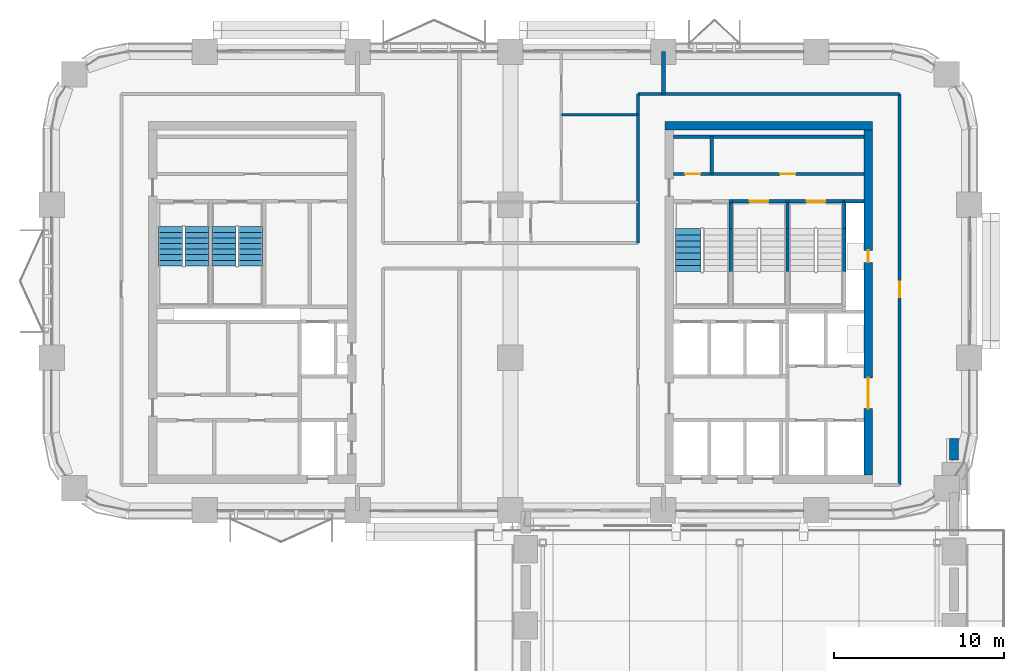
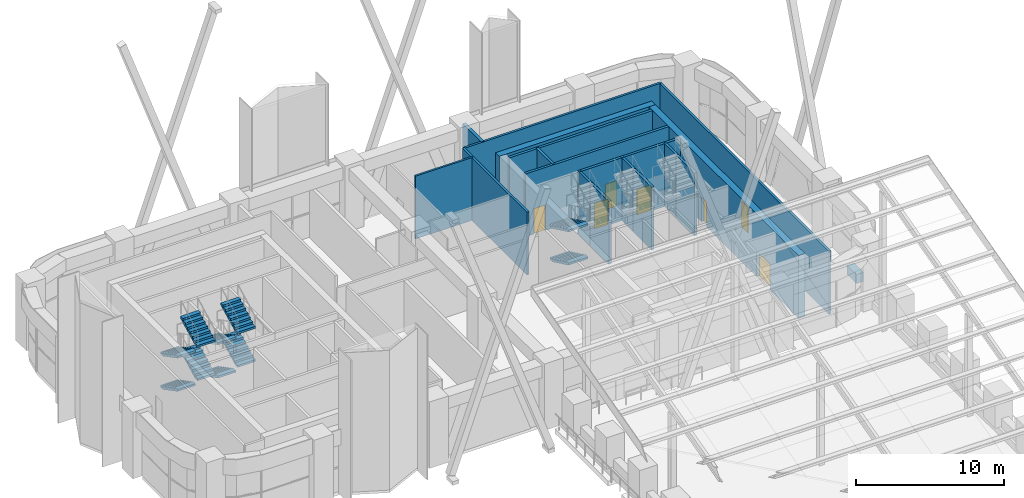
# One storey, part 16 of 22: 22 walls, 10 stair flights, 7 doors, 7 openings, 3 elements without a shape of their own.
"""IFC4 building model written with IfcOpenShell, lengths in metres."""

from ifc_helpers import new_model, si_unit, direction, frame, frame_2d, origin, place, context, subcontext, project, spatial, polyline, rectangle, outline, extrude, material, layer, layer_set, type_object, element, fill, aggregate, save


model = new_model("IFC4")

# Units and contexts
model_context = context("Model", 3, precision=1e-05, world=origin(), true_north=direction((0.0, 1.0)))
body_context = subcontext(model_context, "Body", "Model", "MODEL_VIEW")
ifc_project = project(units=[si_unit("LENGTHUNIT", "METRE"), si_unit("AREAUNIT", "SQUARE_METRE"), si_unit("VOLUMEUNIT", "CUBIC_METRE"), si_unit("PLANEANGLEUNIT", "RADIAN"), si_unit("MASSUNIT", "GRAM", prefix="KILO")], contexts=[model_context])

# Site, building, storey
site_placement = place(None, origin())
site = spatial("IfcSite", under=ifc_project, at=site_placement, CompositionType="ELEMENT")
building_placement = place(site_placement, origin())
building = spatial("IfcBuilding", under=site, at=building_placement, Name="Tessera Arch", CompositionType="ELEMENT")
storey_placement = place(building_placement, frame((0.0, 0.0, 129.39990234375)))
storey = spatial("IfcBuildingStorey", under=building, at=storey_placement, Name="L30", CompositionType="ELEMENT", Elevation=129.39990234375)

# Wall
ifc_material_1 = material(Name="Gypsum board on steel stud", Category="steel")
ifc_layer_1 = layer(ifc_material_1, 0.125)
ifc_layer_set_1 = layer_set([ifc_layer_1], Name="Core partition 125 EI 60")
wall_type_1 = type_object("IfcWallType", Name="Core partition 125 EI 60", PredefinedType="PARTITIONING", material=ifc_layer_set_1)
wall_1_placement = place(storey_placement, frame((38.840087890625, 46.800048828125, 0.0), z_axis=(0.0, 0.0, 1.0), x_axis=(0.0, 1.0, 0.0)))
element("IfcWall", 1, at=wall_1_placement, inside=storey, type_object=wall_type_1, Name="L30 C1 partition wall 3", PredefinedType="PARTITIONING", context=body_context, shape_type="SweptSolid", body=[
    extrude(rectangle(XDim=2.199951171875, YDim=0.199951171875, at=frame_2d((1.10009765625, 0.0))), origin(), (0.0, 0.0, 1.0), 5.2001953125),
])

# Wall, openings, doors
wall_2_placement = place(storey_placement, frame((36.60009765625, 46.800048828125, 0.0), z_axis=(0.0, 0.0, 1.0), x_axis=(1.0, 0.0, 0.0)))
wall_2 = element("IfcWall", 2, at=wall_2_placement, inside=storey, type_object=wall_type_1, Name="L30 C1 partition wall 38", PredefinedType="PARTITIONING", context=body_context, shape_type="SweptSolid", body=[
    extrude(rectangle(XDim=11.199951171875, YDim=0.199951171875, at=frame_2d((5.60009765625, 0.0))), origin(), (0.0, 0.0, 1.0), 5.2001953125),
])
opening_1_placement = place(wall_2_placement, frame((0.669921875, 0.0, 0.0)))
opening_1 = element("IfcOpeningElement", 3, at=opening_1_placement, cuts=wall_2, Name="Opening L30-C18", PredefinedType="OPENING", context=body_context, shape_type="SweptSolid", body=[
    extrude(rectangle(XDim=0.89990234375, YDim=2.10009765625, at=frame_2d((0.449951171875, 1.050048828125))), frame((0.0, 0.10986328125, 0.0), z_axis=(0.0, -1.0, 0.0), x_axis=(1.0, 0.0, 0.0)), (0.0, 0.0, 1.0), 0.219970703125),
])
opening_2_placement = place(wall_2_placement, frame((6.27001953125, 0.0, 0.0)))
opening_2 = element("IfcOpeningElement", 4, at=opening_2_placement, cuts=wall_2, Name="Opening L30-C19", PredefinedType="OPENING", context=body_context, shape_type="SweptSolid", body=[
    extrude(rectangle(XDim=0.89990234375, YDim=2.10009765625, at=frame_2d((0.449951171875, 1.050048828125))), frame((0.0, 0.10986328125, 0.0), z_axis=(0.0, -1.0, 0.0), x_axis=(1.0, 0.0, 0.0)), (0.0, 0.0, 1.0), 0.219970703125),
])
ifc_material_2 = material(Name="Steel door leaf", Category="steel")
door_type_1 = type_object("IfcDoorType", Name="Store door FD30S 900 x 2100", OperationType="SINGLE_SWING_LEFT", PredefinedType="DOOR", material=ifc_material_2)
door_1_placement = place(opening_1_placement, origin())
door_1 = element("IfcDoor", 5, at=door_1_placement, inside=storey, type_object=door_type_1, Name="L30 C1 door 18 C18 type D09", OperationType="SINGLE_SWING_LEFT", OverallHeight=2.10009765625, OverallWidth=0.89990234375, PredefinedType="DOOR", context=body_context, shape_type="SweptSolid", body=[
    extrude(rectangle(XDim=0.89990234375, YDim=2.10009765625, at=frame_2d((0.449951171875, 1.050048828125))), frame((0.0, 0.02490234375, 0.0), z_axis=(0.0, -1.0, 0.0), x_axis=(1.0, 0.0, 0.0)), (0.0, 0.0, 1.0), 0.050048828125),
])
fill(opening_1, door_1)
door_2_placement = place(opening_2_placement, origin())
door_2 = element("IfcDoor", 6, at=door_2_placement, inside=storey, type_object=door_type_1, Name="L30 C1 door 19 C19 type D09", OperationType="SINGLE_SWING_RIGHT", OverallHeight=2.10009765625, OverallWidth=0.89990234375, PredefinedType="DOOR", context=body_context, shape_type="SweptSolid", body=[
    extrude(rectangle(XDim=0.89990234375, YDim=2.10009765625, at=frame_2d((0.449951171875, 1.050048828125))), frame((0.0, 0.02490234375, 0.0), z_axis=(0.0, -1.0, 0.0), x_axis=(1.0, 0.0, 0.0)), (0.0, 0.0, 1.0), 0.050048828125),
])
fill(opening_2, door_2)

# Walls
wall_3_placement = place(storey_placement, frame((36.60009765625, 49.0, 0.0), z_axis=(0.0, 0.0, 1.0), x_axis=(1.0, 0.0, 0.0)))
element("IfcWall", 7, at=wall_3_placement, inside=storey, type_object=wall_type_1, Name="L30 C1 partition wall 39", PredefinedType="PARTITIONING", context=body_context, shape_type="SweptSolid", body=[
    extrude(rectangle(XDim=11.199951171875, YDim=0.199951171875, at=frame_2d((5.60009765625, 0.0))), origin(), (0.0, 0.0, 1.0), 5.2001953125),
])
ifc_material_3 = material(Name="Concrete C60/75", Category="concrete")
ifc_layer_2 = layer(ifc_material_3, 0.5)
ifc_layer_set_2 = layer_set([ifc_layer_2], Name="Core shell wall 500 C60-75")
wall_type_2 = type_object("IfcWallType", Name="Core shell wall 500 C60-75", PredefinedType="SHEAR", material=ifc_layer_set_2)
wall_4_placement = place(storey_placement, frame((36.10009765625, 49.64990234375, 0.0), z_axis=(0.0, 0.0, 1.0), x_axis=(1.0, 0.0, 0.0)))
element("IfcWall", 8, at=wall_4_placement, inside=storey, type_object=wall_type_2, Name="L30 C1 core wall N", PredefinedType="SHEAR", context=body_context, shape_type="SweptSolid", body=[
    extrude(rectangle(XDim=12.199951171875, YDim=0.5, at=frame_2d((6.10009765625, 0.0))), origin(), (0.0, 0.0, 1.0), 5.2001953125),
])

# Wall, openings, doors
wall_5_placement = place(storey_placement, frame((48.050048828125, 29.10009765625, 0.0), z_axis=(0.0, 0.0, 1.0), x_axis=(0.0, 1.0, 0.0)))
wall_5 = element("IfcWall", 9, at=wall_5_placement, inside=storey, type_object=wall_type_2, Name="L30 C1 core wall E", PredefinedType="SHEAR", context=body_context, shape_type="SweptSolid", body=[
    extrude(rectangle(XDim=20.2998046875, YDim=0.5, at=frame_2d((10.14990234375, 0.0))), origin(), (0.0, 0.0, 1.0), 5.2001953125),
])
opening_3_placement = place(wall_5_placement, frame((12.5, 0.0, 0.0)))
opening_3 = element("IfcOpeningElement", 10, at=opening_3_placement, cuts=wall_5, Name="Opening L30-C14", PredefinedType="OPENING", context=body_context, shape_type="SweptSolid", body=[
    extrude(rectangle(XDim=0.699951171875, YDim=2.10009765625, at=frame_2d((0.35009765625, 1.050048828125))), frame((0.0, 0.260009765625, 0.0), z_axis=(0.0, -1.0, 0.0), x_axis=(1.0, 0.0, 0.0)), (0.0, 0.0, 1.0), 0.52001953125),
])
opening_4_placement = place(wall_5_placement, frame((3.89990234375, 0.0, 0.0)))
opening_4 = element("IfcOpeningElement", 11, at=opening_4_placement, cuts=wall_5, Name="Opening L30-C15", PredefinedType="OPENING", context=body_context, shape_type="SweptSolid", body=[
    extrude(rectangle(XDim=1.800048828125, YDim=2.10009765625, at=frame_2d((0.89990234375, 1.050048828125))), frame((0.0, 0.260009765625, 0.0), z_axis=(0.0, -1.0, 0.0), x_axis=(1.0, 0.0, 0.0)), (0.0, 0.0, 1.0), 0.52001953125),
])
ifc_material_4 = material(Name="Glazed steel door leaf", Category="steel")
door_type_2 = type_object("IfcDoorType", Name="Lobby double door FD60 1800 x 2100", OperationType="DOUBLE_DOOR_SINGLE_SWING", PredefinedType="DOOR", material=ifc_material_4)
door_3_placement = place(opening_4_placement, origin())
door_3 = element("IfcDoor", 12, at=door_3_placement, inside=storey, type_object=door_type_2, Name="L30 C1 door 15 C15 type D19", OperationType="DOUBLE_DOOR_SINGLE_SWING", OverallHeight=2.10009765625, OverallWidth=1.800048828125, PredefinedType="DOOR", context=body_context, shape_type="SweptSolid", body=[
    extrude(rectangle(XDim=1.800048828125, YDim=2.10009765625, at=frame_2d((0.89990234375, 1.050048828125))), frame((0.0, 0.02490234375, 0.0), z_axis=(0.0, -1.0, 0.0), x_axis=(1.0, 0.0, 0.0)), (0.0, 0.0, 1.0), 0.050048828125),
])
fill(opening_4, door_3)
ifc_material_5 = material(Name="Steel door leaf", Category="steel")
door_type_3 = type_object("IfcDoorType", Name="Service shaft door FD60 700 x 2100", OperationType="SINGLE_SWING_LEFT", PredefinedType="DOOR", material=ifc_material_5)
door_4_placement = place(opening_3_placement, origin())
door_4 = element("IfcDoor", 13, at=door_4_placement, inside=storey, type_object=door_type_3, Name="L30 C1 door 14 C14 type D07", OperationType="SINGLE_SWING_RIGHT", OverallHeight=2.10009765625, OverallWidth=0.699951171875, PredefinedType="DOOR", context=body_context, shape_type="SweptSolid", body=[
    extrude(rectangle(XDim=0.699951171875, YDim=2.10009765625, at=frame_2d((0.35009765625, 1.050048828125))), frame((0.0, 0.02490234375, 0.0), z_axis=(0.0, -1.0, 0.0), x_axis=(1.0, 0.0, 0.0)), (0.0, 0.0, 1.0), 0.050048828125),
])
fill(opening_3, door_4)

# Walls
ifc_material_6 = material(Name="Gypsum board on deep steel stud with mineral wool", Category="steel")
ifc_layer_3 = layer(ifc_material_6, 0.175048828125)
ifc_layer_set_3 = layer_set([ifc_layer_3], Name="Corridor wall 175 EI 60")
wall_type_3 = type_object("IfcWallType", Name="Corridor wall 175 EI 60", PredefinedType="PARTITIONING", material=ifc_layer_set_3)
wall_6_placement = place(storey_placement, frame((34.5, 51.5, 0.0), z_axis=(0.0, 0.0, 1.0), x_axis=(1.0, 0.0, 0.0)))
element("IfcWall", 14, at=wall_6_placement, inside=storey, type_object=wall_type_3, Name="L30 partition 8", PredefinedType="PARTITIONING", context=body_context, shape_type="SweptSolid", body=[
    extrude(rectangle(XDim=15.39990234375, YDim=0.175048828125, at=frame_2d((7.699951171875, 0.0))), origin(), (0.0, 0.0, 1.0), 5.2001953125),
])
wall_7_placement = place(storey_placement, frame((34.5, 42.75, 0.0), z_axis=(0.0, 0.0, 1.0), x_axis=(0.0, 1.0, 0.0)))
element("IfcWall", 15, at=wall_7_placement, inside=storey, type_object=wall_type_3, Name="L30 partition 13", PredefinedType="PARTITIONING", context=body_context, shape_type="SweptSolid", body=[
    extrude(rectangle(XDim=8.75, YDim=0.175048828125, at=frame_2d((4.375, 0.0))), origin(), (0.0, 0.0, 1.0), 5.2001953125),
])

# Wall, opening, door
wall_8_placement = place(storey_placement, frame((49.89990234375, 28.5, 0.0), z_axis=(0.0, 0.0, 1.0), x_axis=(0.0, 1.0, 0.0)))
wall_8 = element("IfcWall", 16, at=wall_8_placement, inside=storey, type_object=wall_type_3, Name="L30 partition 14", PredefinedType="PARTITIONING", context=body_context, shape_type="SweptSolid", body=[
    extrude(rectangle(XDim=23.0, YDim=0.175048828125, at=frame_2d((11.5, 0.0))), origin(), (0.0, 0.0, 1.0), 5.2001953125),
])
opening_5_placement = place(wall_8_placement, frame((11.050048828125, 0.0, 0.0)))
opening_5 = element("IfcOpeningElement", 17, at=opening_5_placement, cuts=wall_8, Name="Opening L30-D004", PredefinedType="OPENING", context=body_context, shape_type="SweptSolid", body=[
    extrude(rectangle(XDim=0.89990234375, YDim=2.10009765625, at=frame_2d((0.449951171875, 1.050048828125))), frame((0.0, 0.097412109375, 0.0), z_axis=(0.0, -1.0, 0.0), x_axis=(1.0, 0.0, 0.0)), (0.0, 0.0, 1.0), 0.195068359375),
])
ifc_material_7 = material(Name="Timber door leaf", Category="wood")
door_type_4 = type_object("IfcDoorType", Name="Room door 900 x 2100", OperationType="SINGLE_SWING_LEFT", PredefinedType="DOOR", material=ifc_material_7)
door_5_placement = place(opening_5_placement, origin())
door_5 = element("IfcDoor", 18, at=door_5_placement, inside=storey, type_object=door_type_4, Name="L30 door D004 type D01", OperationType="SINGLE_SWING_LEFT", OverallHeight=2.10009765625, OverallWidth=0.89990234375, PredefinedType="DOOR", context=body_context, shape_type="SweptSolid", body=[
    extrude(rectangle(XDim=0.89990234375, YDim=2.10009765625, at=frame_2d((0.449951171875, 1.050048828125))), frame((0.0, 0.02490234375, 0.0), z_axis=(0.0, -1.0, 0.0), x_axis=(1.0, 0.0, 0.0)), (0.0, 0.0, 1.0), 0.050048828125),
])
fill(opening_5, door_5)

# Walls
ifc_material_8 = material(Name="Gypsum board on steel stud", Category="steel")
ifc_layer_4 = layer(ifc_material_8, 0.14990234375)
ifc_layer_set_4 = layer_set([ifc_layer_4], Name="Partition 150")
wall_type_4 = type_object("IfcWallType", Name="Partition 150", PredefinedType="PARTITIONING", material=ifc_layer_set_4)
wall_9_placement = place(storey_placement, frame((30.0, 50.281982421875, 0.0), z_axis=(0.0, 0.0, 1.0), x_axis=(1.0, 0.0, 0.0)))
element("IfcWall", 19, at=wall_9_placement, inside=storey, type_object=wall_type_4, Name="L30 partition 17", PredefinedType="PARTITIONING", context=body_context, shape_type="SweptSolid", body=[
    extrude(rectangle(XDim=4.5, YDim=0.14990234375, at=frame_2d((2.25, 0.0))), origin(), (0.0, 0.0, 1.0), 5.2001953125),
])
ifc_material_9 = material(Name="Double gypsum board on twin steel stud with acoustic mineral wool", Category="steel")
ifc_layer_5 = layer(ifc_material_9, 0.25)
ifc_layer_set_5 = layer_set([ifc_layer_5], Name="Party wall 250 EI 60")
wall_type_5 = type_object("IfcWallType", Name="Party wall 250 EI 60", PredefinedType="PARTITIONING", material=ifc_layer_set_5)
wall_10_placement = place(storey_placement, frame((36.0, 51.5, 0.0), z_axis=(0.0, 0.0, 1.0), x_axis=(0.0, 1.0, 0.0)))
element("IfcWall", 20, at=wall_10_placement, inside=storey, type_object=wall_type_5, Name="L30 partition 24", PredefinedType="PARTITIONING", context=body_context, shape_type="SweptSolid", body=[
    extrude(rectangle(XDim=2.5, YDim=0.25, at=frame_2d((1.25, 0.0))), origin(), (0.0, 0.0, 1.0), 5.2001953125),
])
ifc_material_10 = material(Name="Precast concrete C40/50", Category="concrete")
ifc_layer_6 = layer(ifc_material_10, 0.5400390625)
ifc_layer_set_6 = layer_set([ifc_layer_6], Name="Planter bed 540 wide")
wall_type_6 = type_object("IfcWallType", Name="Planter bed 540 wide", PredefinedType="SOLIDWALL", material=ifc_layer_set_6)
wall_11_placement = place(storey_placement, frame((53.10009765625, 31.24365234375, 0.60009765625), z_axis=(0.0, 0.0, 1.0), x_axis=(0.0, -1.0, 0.0)))
element("IfcWall", 21, at=wall_11_placement, inside=storey, type_object=wall_type_6, Name="PLANTER shrub mass on terrace bed 1-1 1", PredefinedType="SOLIDWALL", context=body_context, shape_type="SweptSolid", body=[
    extrude(rectangle(XDim=1.271240234375, YDim=0.5400390625, at=frame_2d((0.6357421875, 0.0))), origin(), (0.0, 0.0, 1.0), 0.75),
])
ifc_material_11 = material(Name="Concrete C40/50", Category="concrete")
ifc_layer_7 = layer(ifc_material_11, 0.199951171875)
ifc_layer_set_7 = layer_set([ifc_layer_7], Name="Shaft wall 200 EI 120")
wall_type_7 = type_object("IfcWallType", Name="Shaft wall 200 EI 120", PredefinedType="SOLIDWALL", material=ifc_layer_set_7)
wall_12_placement = place(storey_placement, frame((46.64990234375, 45.199951171875, 0.0), z_axis=(0.0, 0.0, 1.0), x_axis=(1.0, 0.0, 0.0)))
element("IfcWall", 22, at=wall_12_placement, inside=storey, type_object=wall_type_7, Name="L30 C1 shaft wall 32", PredefinedType="SOLIDWALL", context=body_context, shape_type="SweptSolid", body=[
    extrude(rectangle(XDim=1.150146484375, YDim=0.199951171875, at=frame_2d((0.5751953125, 0.0))), origin(), (0.0, 0.0, 1.0), 5.2001953125),
])
ifc_material_12 = material(Name="Concrete C40/50", Category="concrete")
ifc_layer_8 = layer(ifc_material_12, 0.199951171875)
ifc_layer_set_8 = layer_set([ifc_layer_8], Name="Stair well wall 200 REI 180")
wall_type_8 = type_object("IfcWallType", Name="Stair well wall 200 REI 180", PredefinedType="SOLIDWALL", material=ifc_layer_set_8)
wall_13_placement = place(storey_placement, frame((39.949951171875, 41.06005859375, 0.0), z_axis=(0.0, 0.0, 1.0), x_axis=(0.0, 1.0, 0.0)))
element("IfcWall", 23, at=wall_13_placement, inside=storey, type_object=wall_type_8, Name="L30 C1 shaft wall 5", PredefinedType="SOLIDWALL", context=body_context, shape_type="SweptSolid", body=[
    extrude(rectangle(XDim=2.52001953125, YDim=0.199951171875, at=frame_2d((1.260009765625, 0.0))), origin(), (0.0, 0.0, 1.0), 5.2001953125),
])
wall_14_placement = place(storey_placement, frame((39.949951171875, 43.580078125, 0.0), z_axis=(0.0, 0.0, 1.0), x_axis=(0.0, 1.0, 0.0)))
element("IfcWall", 24, at=wall_14_placement, inside=storey, type_object=wall_type_8, Name="L30 C1 shaft wall 6", PredefinedType="SOLIDWALL", context=body_context, shape_type="SweptSolid", body=[
    extrude(rectangle(XDim=1.619873046875, YDim=0.199951171875, at=frame_2d((0.81005859375, 0.0))), origin(), (0.0, 0.0, 1.0), 5.2001953125),
])
wall_15_placement = place(storey_placement, frame((43.300048828125, 41.06005859375, 0.0), z_axis=(0.0, 0.0, 1.0), x_axis=(0.0, 1.0, 0.0)))
element("IfcWall", 25, at=wall_15_placement, inside=storey, type_object=wall_type_8, Name="L30 C1 shaft wall 13", PredefinedType="SOLIDWALL", context=body_context, shape_type="SweptSolid", body=[
    extrude(rectangle(XDim=2.52001953125, YDim=0.199951171875, at=frame_2d((1.260009765625, 0.0))), origin(), (0.0, 0.0, 1.0), 5.2001953125),
])
wall_16_placement = place(storey_placement, frame((43.300048828125, 43.580078125, 0.0), z_axis=(0.0, 0.0, 1.0), x_axis=(0.0, 1.0, 0.0)))
element("IfcWall", 26, at=wall_16_placement, inside=storey, type_object=wall_type_8, Name="L30 C1 shaft wall 14", PredefinedType="SOLIDWALL", context=body_context, shape_type="SweptSolid", body=[
    extrude(rectangle(XDim=1.619873046875, YDim=0.199951171875, at=frame_2d((0.81005859375, 0.0))), origin(), (0.0, 0.0, 1.0), 5.2001953125),
])
wall_17_placement = place(storey_placement, frame((46.64990234375, 41.06005859375, 0.0), z_axis=(0.0, 0.0, 1.0), x_axis=(0.0, 1.0, 0.0)))
element("IfcWall", 27, at=wall_17_placement, inside=storey, type_object=wall_type_8, Name="L30 C1 shaft wall 19", PredefinedType="SOLIDWALL", context=body_context, shape_type="SweptSolid", body=[
    extrude(rectangle(XDim=2.52001953125, YDim=0.199951171875, at=frame_2d((1.260009765625, 0.0))), origin(), (0.0, 0.0, 1.0), 5.2001953125),
])
wall_18_placement = place(storey_placement, frame((46.64990234375, 43.580078125, 0.0), z_axis=(0.0, 0.0, 1.0), x_axis=(0.0, 1.0, 0.0)))
element("IfcWall", 28, at=wall_18_placement, inside=storey, type_object=wall_type_8, Name="L30 C1 shaft wall 20", PredefinedType="SOLIDWALL", context=body_context, shape_type="SweptSolid", body=[
    extrude(rectangle(XDim=1.619873046875, YDim=0.199951171875, at=frame_2d((0.81005859375, 0.0))), origin(), (0.0, 0.0, 1.0), 5.2001953125),
])
wall_19_placement = place(storey_placement, frame((39.85009765625, 45.199951171875, 0.0), z_axis=(0.0, 0.0, 1.0), x_axis=(1.0, 0.0, 0.0)))
element("IfcWall", 29, at=wall_19_placement, inside=storey, type_object=wall_type_8, Name="L30 C1 shaft wall 34", PredefinedType="SOLIDWALL", context=body_context, shape_type="SweptSolid", body=[
    extrude(rectangle(XDim=0.199951171875, YDim=0.199951171875, at=frame_2d((0.10009765625, 0.0))), origin(), (0.0, 0.0, 1.0), 5.2001953125),
])

# Wall, opening, door
wall_20_placement = place(storey_placement, frame((40.050048828125, 45.199951171875, 0.0), z_axis=(0.0, 0.0, 1.0), x_axis=(1.0, 0.0, 0.0)))
wall_20 = element("IfcWall", 30, at=wall_20_placement, inside=storey, type_object=wall_type_8, Name="L30 C1 shaft wall 35", PredefinedType="SOLIDWALL", context=body_context, shape_type="SweptSolid", body=[
    extrude(rectangle(XDim=3.14990234375, YDim=0.199951171875, at=frame_2d((1.574951171875, 0.0))), origin(), (0.0, 0.0, 1.0), 5.2001953125),
])
opening_6_placement = place(wall_20_placement, frame((1.02490234375, 0.0, 0.0)))
opening_6 = element("IfcOpeningElement", 31, at=opening_6_placement, cuts=wall_20, Name="Opening L30-C12", PredefinedType="OPENING", context=body_context, shape_type="SweptSolid", body=[
    extrude(rectangle(XDim=1.10009765625, YDim=2.10009765625, at=frame_2d((0.550048828125, 1.050048828125))), frame((0.0, 0.10986328125, 0.0), z_axis=(0.0, -1.0, 0.0), x_axis=(1.0, 0.0, 0.0)), (0.0, 0.0, 1.0), 0.219970703125),
])
ifc_material_13 = material(Name="Steel door leaf", Category="steel")
door_type_5 = type_object("IfcDoorType", Name="Stair door FD60 1100 x 2100", OperationType="SINGLE_SWING_LEFT", PredefinedType="DOOR", material=ifc_material_13)
door_6_placement = place(opening_6_placement, origin())
door_6 = element("IfcDoor", 32, at=door_6_placement, inside=storey, type_object=door_type_5, Name="L30 C1 door 12 C12 type D05", OperationType="SINGLE_SWING_LEFT", OverallHeight=2.10009765625, OverallWidth=1.10009765625, PredefinedType="DOOR", context=body_context, shape_type="SweptSolid", body=[
    extrude(rectangle(XDim=1.10009765625, YDim=2.10009765625, at=frame_2d((0.550048828125, 1.050048828125))), frame((0.0, 0.02490234375, 0.0), z_axis=(0.0, -1.0, 0.0), x_axis=(1.0, 0.0, 0.0)), (0.0, 0.0, 1.0), 0.050048828125),
])
fill(opening_6, door_6)

# Wall
wall_21_placement = place(storey_placement, frame((43.199951171875, 45.199951171875, 0.0), z_axis=(0.0, 0.0, 1.0), x_axis=(1.0, 0.0, 0.0)))
element("IfcWall", 33, at=wall_21_placement, inside=storey, type_object=wall_type_8, Name="L30 C1 shaft wall 36", PredefinedType="SOLIDWALL", context=body_context, shape_type="SweptSolid", body=[
    extrude(rectangle(XDim=0.199951171875, YDim=0.199951171875, at=frame_2d((0.10009765625, 0.0))), origin(), (0.0, 0.0, 1.0), 5.2001953125),
])

# Wall, opening, door
wall_22_placement = place(storey_placement, frame((43.39990234375, 45.199951171875, 0.0), z_axis=(0.0, 0.0, 1.0), x_axis=(1.0, 0.0, 0.0)))
wall_22 = element("IfcWall", 34, at=wall_22_placement, inside=storey, type_object=wall_type_8, Name="L30 C1 shaft wall 37", PredefinedType="SOLIDWALL", context=body_context, shape_type="SweptSolid", body=[
    extrude(rectangle(XDim=3.25, YDim=0.199951171875, at=frame_2d((1.625, 0.0))), origin(), (0.0, 0.0, 1.0), 5.2001953125),
])
opening_7_placement = place(wall_22_placement, frame((1.02490234375, 0.0, 0.0)))
opening_7 = element("IfcOpeningElement", 35, at=opening_7_placement, cuts=wall_22, Name="Opening L30-C13", PredefinedType="OPENING", context=body_context, shape_type="SweptSolid", body=[
    extrude(rectangle(XDim=1.10009765625, YDim=2.10009765625, at=frame_2d((0.550048828125, 1.050048828125))), frame((0.0, 0.10986328125, 0.0), z_axis=(0.0, -1.0, 0.0), x_axis=(1.0, 0.0, 0.0)), (0.0, 0.0, 1.0), 0.219970703125),
])
door_7_placement = place(opening_7_placement, origin())
door_7 = element("IfcDoor", 36, at=door_7_placement, inside=storey, type_object=door_type_5, Name="L30 C1 door 13 C13 type D05", OperationType="SINGLE_SWING_LEFT", OverallHeight=2.10009765625, OverallWidth=1.10009765625, PredefinedType="DOOR", context=body_context, shape_type="SweptSolid", body=[
    extrude(rectangle(XDim=1.10009765625, YDim=2.10009765625, at=frame_2d((0.550048828125, 1.050048828125))), frame((0.0, 0.02490234375, 0.0), z_axis=(0.0, -1.0, 0.0), x_axis=(1.0, 0.0, 0.0)), (0.0, 0.0, 1.0), 0.050048828125),
])
fill(opening_7, door_7)

# Stair, stair flights
ifc_material_14 = material(Name="Concrete C40/50", Category="concrete")
stair_type_1 = type_object("IfcStairType", Name="Dogleg stair 1400", PredefinedType="HALF_TURN_STAIR", material=ifc_material_14)
stair_1_placement = place(storey_placement, origin())
stair_1 = element("IfcStair", 37, at=stair_1_placement, inside=storey, type_object=stair_type_1, Name="L30 S2a", PredefinedType="HALF_TURN_STAIR")
ifc_material_15 = material(Name="Concrete C40/50", Category="concrete")
stair_flight_type_1 = type_object("IfcStairFlightType", Name="Stair flight 1400", PredefinedType="STRAIGHT", material=ifc_material_15)
stair_flight_1_placement = place(storey_placement, frame((7.0, 43.699951171875, 0.0), z_axis=(0.0, 0.0, 1.0), x_axis=(0.0, -1.0, 0.0)))
stair_flight_1 = element("IfcStairFlight", 38, at=stair_flight_1_placement, type_object=stair_flight_type_1, Name="S2a flight 1", NumberOfRisers=8, NumberOfTreads=7, PredefinedType="STRAIGHT", RiserHeight=0.171875, TreadLength=0.33, context=body_context, shape_type="SweptSolid", body=[
    extrude(outline(polyline([(0.0, 0.0), (0.0, 0.171875), (0.330078125, 0.171875), (0.330078125, 0.34375), (0.659912109375, 0.34375), (0.659912109375, 0.515625), (0.989990234375, 0.515625), (0.989990234375, 0.6875), (1.320068359375, 0.6875), (1.320068359375, 0.859375), (1.64990234375, 0.859375), (1.64990234375, 1.03125), (1.97998046875, 1.03125), (1.97998046875, 1.203125), (2.31005859375, 1.203125), (2.31005859375, 1.375), (2.31005859375, 1.0341796875), (0.324462890625, 0.0), (0.0, 0.0)])), frame((0.0, 0.699951171875, 0.0), z_axis=(0.0, -1.0, 0.0), x_axis=(1.0, 0.0, 0.0)), (0.0, 0.0, 1.0), 1.39990234375),
])
stair_flight_2_placement = place(storey_placement, frame((8.550048828125, 41.389892578125, 1.375), z_axis=(0.0, 0.0, 1.0), x_axis=(0.0, 1.0, 0.0)))
stair_flight_2 = element("IfcStairFlight", 39, at=stair_flight_2_placement, type_object=stair_flight_type_1, Name="S2a flight 2", NumberOfRisers=8, NumberOfTreads=7, PredefinedType="STRAIGHT", RiserHeight=0.171875, TreadLength=0.33, context=body_context, shape_type="SweptSolid", body=[
    extrude(outline(polyline([(0.0, 0.0), (0.0, 0.171875), (0.330078125, 0.171875), (0.330078125, 0.34375), (0.659912109375, 0.34375), (0.659912109375, 0.515625), (0.989990234375, 0.515625), (0.989990234375, 0.6875), (1.320068359375, 0.6875), (1.320068359375, 0.859375), (1.64990234375, 0.859375), (1.64990234375, 1.03125), (1.97998046875, 1.03125), (1.97998046875, 1.203125), (2.31005859375, 1.203125), (2.31005859375, 1.375), (2.31005859375, 1.0341796875), (0.324462890625, 0.0), (0.0, 0.0)])), frame((0.0, 0.699951171875, 0.0), z_axis=(0.0, -1.0, 0.0), x_axis=(1.0, 0.0, 0.0)), (0.0, 0.0, 1.0), 1.39990234375),
])
stair_flight_3_placement = place(storey_placement, frame((7.0, 43.699951171875, 2.75), z_axis=(0.0, 0.0, 1.0), x_axis=(0.0, -1.0, 0.0)))
stair_flight_3 = element("IfcStairFlight", 40, at=stair_flight_3_placement, type_object=stair_flight_type_1, Name="S2a flight 3", NumberOfRisers=8, NumberOfTreads=7, PredefinedType="STRAIGHT", RiserHeight=0.171875, TreadLength=0.33, context=body_context, shape_type="SweptSolid", body=[
    extrude(outline(polyline([(0.0, 0.0), (0.0, 0.171875), (0.330078125, 0.171875), (0.330078125, 0.34375), (0.659912109375, 0.34375), (0.659912109375, 0.515625), (0.989990234375, 0.515625), (0.989990234375, 0.6875), (1.320068359375, 0.6875), (1.320068359375, 0.859375), (1.64990234375, 0.859375), (1.64990234375, 1.03125), (1.97998046875, 1.03125), (1.97998046875, 1.203125), (2.31005859375, 1.203125), (2.31005859375, 1.375), (2.31005859375, 1.0341796875), (0.324462890625, 0.0), (0.0, 0.0)])), frame((0.0, 0.699951171875, 0.0), z_axis=(0.0, -1.0, 0.0), x_axis=(1.0, 0.0, 0.0)), (0.0, 0.0, 1.0), 1.39990234375),
])
stair_flight_4_placement = place(storey_placement, frame((8.550048828125, 41.389892578125, 4.125), z_axis=(0.0, 0.0, 1.0), x_axis=(0.0, 1.0, 0.0)))
stair_flight_4 = element("IfcStairFlight", 41, at=stair_flight_4_placement, type_object=stair_flight_type_1, Name="S2a flight 4", NumberOfRisers=8, NumberOfTreads=7, PredefinedType="STRAIGHT", RiserHeight=0.171875, TreadLength=0.33, context=body_context, shape_type="SweptSolid", body=[
    extrude(outline(polyline([(0.0, 0.0), (0.0, 0.171875), (0.330078125, 0.171875), (0.330078125, 0.34375), (0.659912109375, 0.34375), (0.659912109375, 0.515625), (0.989990234375, 0.515625), (0.989990234375, 0.6875), (1.320068359375, 0.6875), (1.320068359375, 0.859375), (1.64990234375, 0.859375), (1.64990234375, 1.03125), (1.97998046875, 1.03125), (1.97998046875, 1.203125), (2.31005859375, 1.203125), (2.31005859375, 1.375), (2.31005859375, 1.0341796875), (0.324462890625, 0.0), (0.0, 0.0)])), frame((0.0, 0.699951171875, 0.0), z_axis=(0.0, -1.0, 0.0), x_axis=(1.0, 0.0, 0.0)), (0.0, 0.0, 1.0), 1.39990234375),
])
aggregate(stair_1, [stair_flight_1, stair_flight_2, stair_flight_3, stair_flight_4])

stair_2_placement = place(storey_placement, origin())
stair_2 = element("IfcStair", 42, at=stair_2_placement, inside=storey, type_object=stair_type_1, Name="L30 S2b", PredefinedType="HALF_TURN_STAIR")
stair_flight_5_placement = place(storey_placement, frame((10.14990234375, 43.699951171875, 0.0), z_axis=(0.0, 0.0, 1.0), x_axis=(0.0, -1.0, 0.0)))
stair_flight_5 = element("IfcStairFlight", 43, at=stair_flight_5_placement, type_object=stair_flight_type_1, Name="S2b flight 1", NumberOfRisers=8, NumberOfTreads=7, PredefinedType="STRAIGHT", RiserHeight=0.171875, TreadLength=0.33, context=body_context, shape_type="SweptSolid", body=[
    extrude(outline(polyline([(0.0, 0.0), (0.0, 0.171875), (0.330078125, 0.171875), (0.330078125, 0.34375), (0.659912109375, 0.34375), (0.659912109375, 0.515625), (0.989990234375, 0.515625), (0.989990234375, 0.6875), (1.320068359375, 0.6875), (1.320068359375, 0.859375), (1.64990234375, 0.859375), (1.64990234375, 1.03125), (1.97998046875, 1.03125), (1.97998046875, 1.203125), (2.31005859375, 1.203125), (2.31005859375, 1.375), (2.31005859375, 1.0341796875), (0.324462890625, 0.0), (0.0, 0.0)])), frame((0.0, 0.699951171875, 0.0), z_axis=(0.0, -1.0, 0.0), x_axis=(1.0, 0.0, 0.0)), (0.0, 0.0, 1.0), 1.39990234375),
])
stair_flight_6_placement = place(storey_placement, frame((11.699951171875, 41.389892578125, 1.375), z_axis=(0.0, 0.0, 1.0), x_axis=(0.0, 1.0, 0.0)))
stair_flight_6 = element("IfcStairFlight", 44, at=stair_flight_6_placement, type_object=stair_flight_type_1, Name="S2b flight 2", NumberOfRisers=8, NumberOfTreads=7, PredefinedType="STRAIGHT", RiserHeight=0.171875, TreadLength=0.33, context=body_context, shape_type="SweptSolid", body=[
    extrude(outline(polyline([(0.0, 0.0), (0.0, 0.171875), (0.330078125, 0.171875), (0.330078125, 0.34375), (0.659912109375, 0.34375), (0.659912109375, 0.515625), (0.989990234375, 0.515625), (0.989990234375, 0.6875), (1.320068359375, 0.6875), (1.320068359375, 0.859375), (1.64990234375, 0.859375), (1.64990234375, 1.03125), (1.97998046875, 1.03125), (1.97998046875, 1.203125), (2.31005859375, 1.203125), (2.31005859375, 1.375), (2.31005859375, 1.0341796875), (0.324462890625, 0.0), (0.0, 0.0)])), frame((0.0, 0.699951171875, 0.0), z_axis=(0.0, -1.0, 0.0), x_axis=(1.0, 0.0, 0.0)), (0.0, 0.0, 1.0), 1.39990234375),
])
stair_flight_7_placement = place(storey_placement, frame((10.14990234375, 43.699951171875, 2.75), z_axis=(0.0, 0.0, 1.0), x_axis=(0.0, -1.0, 0.0)))
stair_flight_7 = element("IfcStairFlight", 45, at=stair_flight_7_placement, type_object=stair_flight_type_1, Name="S2b flight 3", NumberOfRisers=8, NumberOfTreads=7, PredefinedType="STRAIGHT", RiserHeight=0.171875, TreadLength=0.33, context=body_context, shape_type="SweptSolid", body=[
    extrude(outline(polyline([(0.0, 0.0), (0.0, 0.171875), (0.330078125, 0.171875), (0.330078125, 0.34375), (0.659912109375, 0.34375), (0.659912109375, 0.515625), (0.989990234375, 0.515625), (0.989990234375, 0.6875), (1.320068359375, 0.6875), (1.320068359375, 0.859375), (1.64990234375, 0.859375), (1.64990234375, 1.03125), (1.97998046875, 1.03125), (1.97998046875, 1.203125), (2.31005859375, 1.203125), (2.31005859375, 1.375), (2.31005859375, 1.0341796875), (0.324462890625, 0.0), (0.0, 0.0)])), frame((0.0, 0.699951171875, 0.0), z_axis=(0.0, -1.0, 0.0), x_axis=(1.0, 0.0, 0.0)), (0.0, 0.0, 1.0), 1.39990234375),
])
stair_flight_8_placement = place(storey_placement, frame((11.699951171875, 41.389892578125, 4.125), z_axis=(0.0, 0.0, 1.0), x_axis=(0.0, 1.0, 0.0)))
stair_flight_8 = element("IfcStairFlight", 46, at=stair_flight_8_placement, type_object=stair_flight_type_1, Name="S2b flight 4", NumberOfRisers=8, NumberOfTreads=7, PredefinedType="STRAIGHT", RiserHeight=0.171875, TreadLength=0.33, context=body_context, shape_type="SweptSolid", body=[
    extrude(outline(polyline([(0.0, 0.0), (0.0, 0.171875), (0.330078125, 0.171875), (0.330078125, 0.34375), (0.659912109375, 0.34375), (0.659912109375, 0.515625), (0.989990234375, 0.515625), (0.989990234375, 0.6875), (1.320068359375, 0.6875), (1.320068359375, 0.859375), (1.64990234375, 0.859375), (1.64990234375, 1.03125), (1.97998046875, 1.03125), (1.97998046875, 1.203125), (2.31005859375, 1.203125), (2.31005859375, 1.375), (2.31005859375, 1.0341796875), (0.324462890625, 0.0), (0.0, 0.0)])), frame((0.0, 0.699951171875, 0.0), z_axis=(0.0, -1.0, 0.0), x_axis=(1.0, 0.0, 0.0)), (0.0, 0.0, 1.0), 1.39990234375),
])
aggregate(stair_2, [stair_flight_5, stair_flight_6, stair_flight_7, stair_flight_8])

ifc_material_16 = material(Name="Concrete C40/50", Category="concrete")
stair_type_2 = type_object("IfcStairType", Name="Dogleg stair 1520", PredefinedType="HALF_TURN_STAIR", material=ifc_material_16)
stair_3_placement = place(storey_placement, origin())
stair_3 = element("IfcStair", 47, at=stair_3_placement, inside=storey, type_object=stair_type_2, Name="L30 S1a", PredefinedType="HALF_TURN_STAIR")
ifc_material_17 = material(Name="Concrete C40/50", Category="concrete")
stair_flight_type_2 = type_object("IfcStairFlightType", Name="Stair flight 1520", PredefinedType="STRAIGHT", material=ifc_material_17)
stair_flight_9_placement = place(storey_placement, frame((37.4599609375, 43.580078125, 0.0), z_axis=(0.0, 0.0, 1.0), x_axis=(0.0, -1.0, 0.0)))
stair_flight_9 = element("IfcStairFlight", 48, at=stair_flight_9_placement, type_object=stair_flight_type_2, Name="S1a flight 1", NumberOfRisers=8, NumberOfTreads=7, PredefinedType="STRAIGHT", RiserHeight=0.171875, TreadLength=0.36, context=body_context, shape_type="SweptSolid", body=[
    extrude(outline(polyline([(0.0, 0.0), (0.0, 0.171875), (0.360107421875, 0.171875), (0.360107421875, 0.34375), (0.719970703125, 0.34375), (0.719970703125, 0.515625), (1.080078125, 0.515625), (1.080078125, 0.6875), (1.43994140625, 0.6875), (1.43994140625, 0.859375), (1.800048828125, 0.859375), (1.800048828125, 1.03125), (2.159912109375, 1.03125), (2.159912109375, 1.203125), (2.52001953125, 1.203125), (2.52001953125, 1.375), (2.52001953125, 1.037109375), (0.347900390625, 0.0), (0.0, 0.0)])), frame((0.0, 0.760009765625, 0.0), z_axis=(0.0, -1.0, 0.0), x_axis=(1.0, 0.0, 0.0)), (0.0, 0.0, 1.0), 1.52001953125),
])
stair_flight_10_placement = place(storey_placement, frame((37.4599609375, 43.580078125, 2.75), z_axis=(0.0, 0.0, 1.0), x_axis=(0.0, -1.0, 0.0)))
stair_flight_10 = element("IfcStairFlight", 49, at=stair_flight_10_placement, type_object=stair_flight_type_2, Name="S1a flight 3", NumberOfRisers=8, NumberOfTreads=7, PredefinedType="STRAIGHT", RiserHeight=0.171875, TreadLength=0.36, context=body_context, shape_type="SweptSolid", body=[
    extrude(outline(polyline([(0.0, 0.0), (0.0, 0.171875), (0.360107421875, 0.171875), (0.360107421875, 0.34375), (0.719970703125, 0.34375), (0.719970703125, 0.515625), (1.080078125, 0.515625), (1.080078125, 0.6875), (1.43994140625, 0.6875), (1.43994140625, 0.859375), (1.800048828125, 0.859375), (1.800048828125, 1.03125), (2.159912109375, 1.03125), (2.159912109375, 1.203125), (2.52001953125, 1.203125), (2.52001953125, 1.375), (2.52001953125, 1.037109375), (0.347900390625, 0.0), (0.0, 0.0)])), frame((0.0, 0.760009765625, 0.0), z_axis=(0.0, -1.0, 0.0), x_axis=(1.0, 0.0, 0.0)), (0.0, 0.0, 1.0), 1.52001953125),
])
aggregate(stair_3, [stair_flight_9, stair_flight_10])

save(model, "model.ifc")
